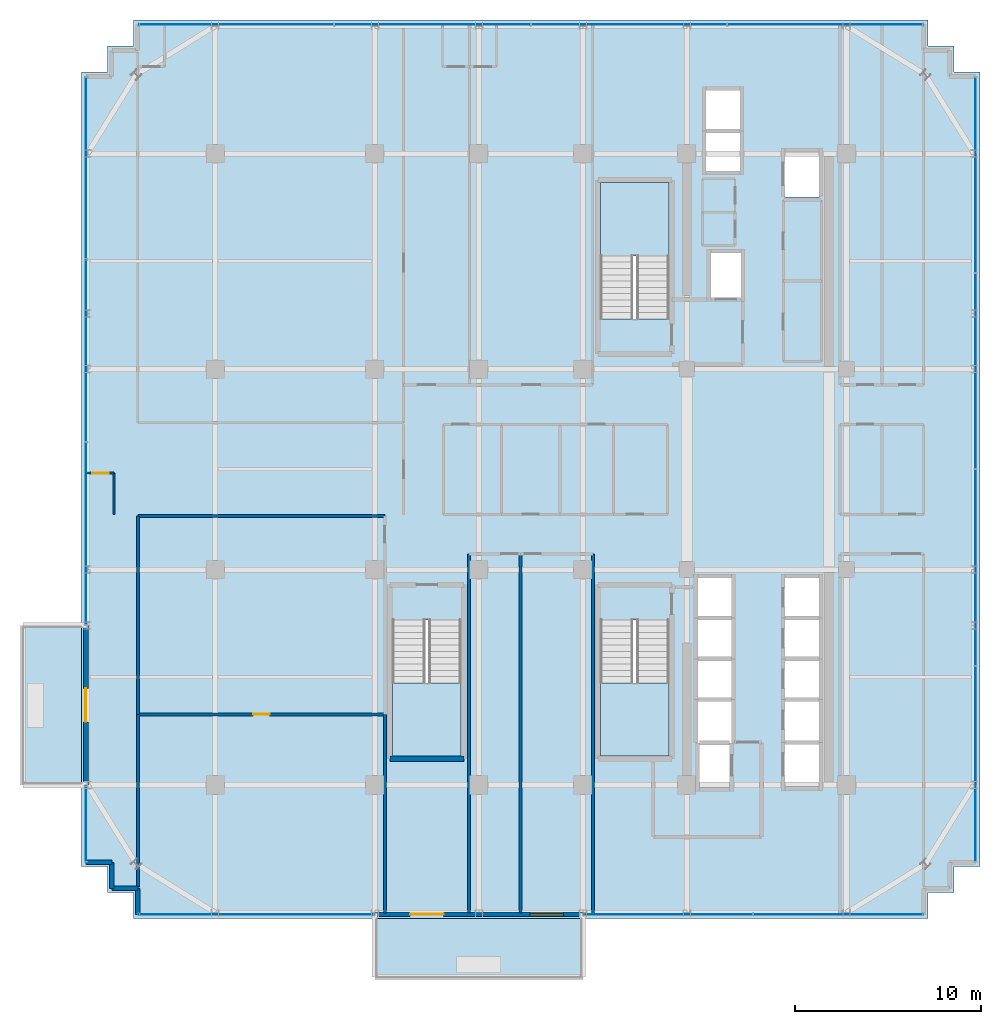
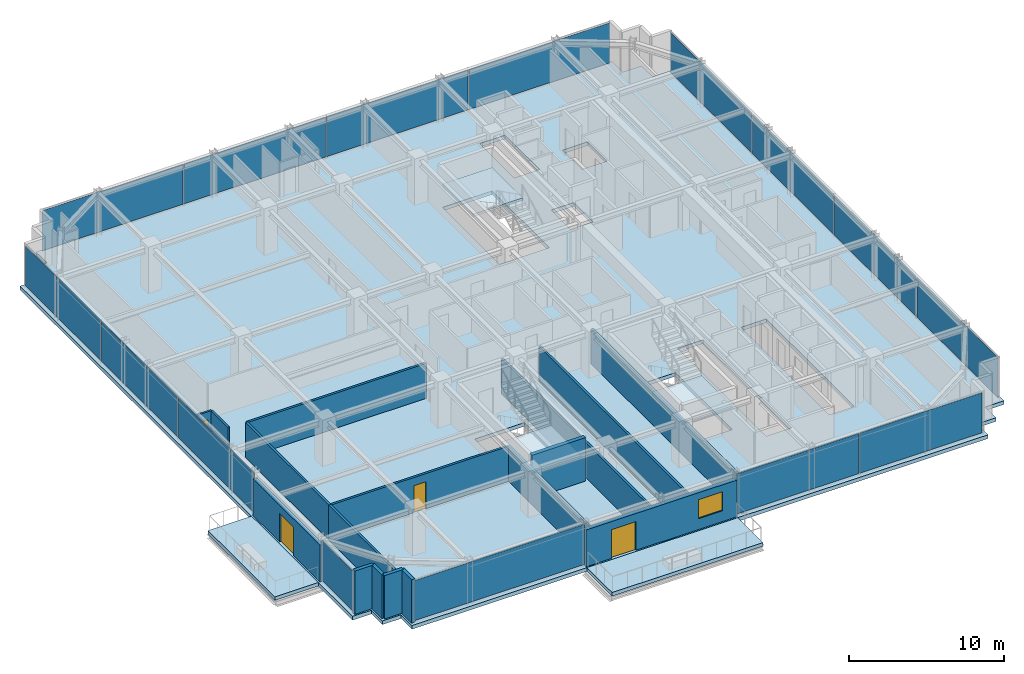
# One storey, part 25 of 32: 17 walls, 15 plates, 6 slabs, 4 doors, 1 window, 5 openings, 9 elements without a shape of their own.
"""IFC4 building model written with IfcOpenShell, lengths in metres."""

import ifcopenshell
import ifcopenshell.guid

model = None  # the IFC model being written
_history = None  # IfcOwnerHistory: only IFC2X3 demands one
_inside = {}  # id of a spatial element -> (the spatial element, [elements in it])
_under = {}  # id of a project, library or spatial element -> (it, [spatial elements below it])
_declared = {}  # id of a project -> (the project, [libraries it declares])
_typed = {}  # id of a type object -> (the type object, [elements of that type])
_made_of = {}  # id of a material, layer set ... -> (it, [elements and type objects made of it])


def new_model(schema):
    """Start an empty IFC model of exactly this schema.

    Asked for "IFC4X3", IfcOpenShell would pick the latest addendum, in which some entities
    have other attributes; the version numbers below select the first issue.
    IFC2X3 requires an IfcOwnerHistory on every rooted entity: one is made here for all.
    """
    global model, _history
    if schema == "IFC4X3":
        model = ifcopenshell.file(schema_version=(4, 3, 0, 0))
    else:
        model = ifcopenshell.file(schema=schema)
    _inside.clear()
    _under.clear()
    _declared.clear()
    _typed.clear()
    _made_of.clear()
    _history = None
    if model.schema == "IFC2X3":
        org = make("IfcOrganization", Name="unknown")
        user = make(
            "IfcPersonAndOrganization",
            ThePerson=make("IfcPerson", FamilyName="unknown"),
            TheOrganization=org,
        )
        app = make(
            "IfcApplication",
            ApplicationDeveloper=org,
            Version="unknown",
            ApplicationFullName="unknown",
            ApplicationIdentifier="unknown",
        )
        _history = make(
            "IfcOwnerHistory",
            OwningUser=user,
            OwningApplication=app,
            ChangeAction="ADDED",
            CreationDate=0,
        )
    return model


def make(cls, **values):
    """One entity of the class cls with the attributes given. An attribute that is None is left unset."""
    return model.create_entity(
        cls, **{name: value for name, value in values.items() if value is not None}
    )


def rooted(cls, **values):
    """An entity with a GlobalId (a new one), such as an element, a storey or a relation."""
    return make(cls, GlobalId=ifcopenshell.guid.new(), OwnerHistory=_history, **values)


def si_unit(unit_type, name, prefix=None):
    """IfcSIUnit, for example si_unit("LENGTHUNIT", "METRE", prefix="MILLI")."""
    return make("IfcSIUnit", UnitType=unit_type, Prefix=prefix, Name=name)


def assignment(units):
    """IfcUnitAssignment: the units of a project."""
    return None if units is None else make("IfcUnitAssignment", Units=units)


def point(xyz):
    """IfcCartesianPoint."""
    return None if xyz is None else make("IfcCartesianPoint", Coordinates=xyz)


def direction(xyz):
    """IfcDirection."""
    return None if xyz is None else make("IfcDirection", DirectionRatios=xyz)


def frame(location, z_axis=None, x_axis=None):
    """IfcAxis2Placement3D, a coordinate frame: its origin and axes. An axis left out is left unset."""
    return make(
        "IfcAxis2Placement3D",
        Location=point(location),
        Axis=direction(z_axis),
        RefDirection=direction(x_axis),
    )


def frame_2d(location, x_axis=None):
    """IfcAxis2Placement2D, a coordinate frame in the plane: its origin and x axis."""
    return make(
        "IfcAxis2Placement2D", Location=point(location), RefDirection=direction(x_axis)
    )


def origin():
    """The frame at (0, 0, 0) with its axes left unset."""
    return frame((0.0, 0.0, 0.0))


def origin_2d():
    """The frame at (0, 0) in the plane with its x axis left unset."""
    return frame_2d((0.0, 0.0))


def place(relative_to, where):
    """IfcLocalPlacement: puts the frame where relative to a parent placement (None: the world)."""
    return make(
        "IfcLocalPlacement", PlacementRelTo=relative_to, RelativePlacement=where
    )


def context(
    kind, dimensions, precision=None, world=None, true_north=None, identifier=None
):
    """IfcGeometricRepresentationContext, for example the 3D "Model" context."""
    return make(
        "IfcGeometricRepresentationContext",
        ContextIdentifier=identifier,
        ContextType=kind,
        CoordinateSpaceDimension=dimensions,
        Precision=precision,
        WorldCoordinateSystem=world,
        TrueNorth=true_north,
    )


def subcontext(parent, identifier, kind, view, scale=None):
    """IfcGeometricRepresentationSubContext, for example "Body" below "Model"."""
    return make(
        "IfcGeometricRepresentationSubContext",
        ContextIdentifier=identifier,
        ContextType=kind,
        ParentContext=parent,
        TargetScale=scale,
        TargetView=view,
    )


def project(units=None, contexts=None):
    """IfcProject with its units and contexts."""
    return rooted(
        "IfcProject",
        Name="project",
        RepresentationContexts=contexts,
        UnitsInContext=assignment(units),
    )


def spatial(cls, under=None, at=None, **own):
    """A site, building, storey or space (cls), placed at a placement, below another one or the project."""
    s = rooted(cls, ObjectPlacement=at, **own)
    if under is not None:
        _under.setdefault(under.id(), (under, []))[1].append(s)
    return s


def polyline(points):
    """IfcPolyline through the points."""
    return make("IfcPolyline", Points=[point(p) for p in points])


def profile(cls, at=None, kind="AREA", **sizes):
    """A parametric profile (cls). Its sizes go by their IFC names, for example OverallWidth=200.0."""
    return make(cls, ProfileType=kind, Position=at, **sizes)


def rectangle(**sizes):
    """IfcRectangleProfileDef."""
    return profile("IfcRectangleProfileDef", **sizes)


def outline(outer, holes=None, kind="AREA"):
    """IfcArbitraryClosedProfileDef: a profile drawn as a closed curve; with holes, ...WithVoids."""
    if holes is None:
        return make("IfcArbitraryClosedProfileDef", ProfileType=kind, OuterCurve=outer)
    return make(
        "IfcArbitraryProfileDefWithVoids",
        ProfileType=kind,
        OuterCurve=outer,
        InnerCurves=holes,
    )


def extrude(swept, where, along, depth):
    """IfcExtrudedAreaSolid: the profile swept, set in the frame where, extruded along a direction by depth."""
    return make(
        "IfcExtrudedAreaSolid",
        SweptArea=swept,
        Position=where,
        ExtrudedDirection=direction(along),
        Depth=depth,
    )


def shape(context_of_items, identifier, shape_type, items):
    """IfcShapeRepresentation: the items that make up one representation, for example the "Body"."""
    return make(
        "IfcShapeRepresentation",
        ContextOfItems=context_of_items,
        RepresentationIdentifier=identifier,
        RepresentationType=shape_type,
        Items=items,
    )


def source(mapping_origin, context_of_items, identifier, shape_type, items):
    """IfcRepresentationMap: a shape defined once, which mapped items show again and again."""
    return make(
        "IfcRepresentationMap",
        MappingOrigin=mapping_origin,
        MappedRepresentation=shape(context_of_items, identifier, shape_type, items),
    )


def transform(
    local_origin,
    x_axis=None,
    y_axis=None,
    z_axis=None,
    scale=None,
    scale2=None,
    scale3=None,
    uniform=True,
):
    """IfcCartesianTransformationOperator3D, or its non-uniform kind. x_axis, y_axis, z_axis: its Axis1, 2, 3."""
    if uniform:
        return make(
            "IfcCartesianTransformationOperator3D",
            Axis1=direction(x_axis),
            Axis2=direction(y_axis),
            LocalOrigin=point(local_origin),
            Scale=scale,
            Axis3=direction(z_axis),
        )
    return make(
        "IfcCartesianTransformationOperator3DnonUniform",
        Axis1=direction(x_axis),
        Axis2=direction(y_axis),
        LocalOrigin=point(local_origin),
        Scale=scale,
        Axis3=direction(z_axis),
        Scale2=scale2,
        Scale3=scale3,
    )


def mapped(mapping_source, mapping_target):
    """IfcMappedItem: shows the shape of a source again, moved by a transform."""
    return make(
        "IfcMappedItem", MappingSource=mapping_source, MappingTarget=mapping_target
    )


def material(Name=None, Category=None):
    """IfcMaterial."""
    return make("IfcMaterial", Name=Name, Category=Category)


def layer(
    of_material, thickness, ventilated=None, Name=None, Category=None, Priority=None
):
    """IfcMaterialLayer: one layer of a wall or slab, of a material (None: an air gap)."""
    return make(
        "IfcMaterialLayer",
        Material=of_material,
        LayerThickness=thickness,
        IsVentilated=ventilated,
        Name=Name,
        Category=Category,
        Priority=Priority,
    )


def layer_set(layers, Name=None):
    """IfcMaterialLayerSet."""
    return make("IfcMaterialLayerSet", MaterialLayers=layers, LayerSetName=Name)


def made_of(thing, what):
    """Note that an element or type object is made of a material, layer set ...; save() writes the relation."""
    if what is not None:
        _made_of.setdefault(what.id(), (what, []))[1].append(thing)
    return thing


def type_object(cls, material=None, **own):
    """A type object (cls), such as IfcWallType, which elements share."""
    return made_of(rooted(cls, **own), material)


def element(
    cls,
    number,
    at=None,
    inside=None,
    cuts=None,
    type_object=None,
    material=None,
    context=None,
    identifier="Body",
    shape_type=None,
    held_by="IfcProductDefinitionShape",
    body=None,
    shapes=None,
    **own,
):
    """One element of the class cls, such as IfcWall. Its Tag is "e" and its number.

    at: its placement. inside: the storey or other place that contains it. cuts: it is an
    opening in that element (IfcRelVoidsElement). A single representation is given by context,
    identifier, shape_type and body (its items); several are given by shapes. held_by: the class
    of the entity that holds the representations. save() writes the other relations.
    """
    e = rooted(cls, Tag="e%d" % number, ObjectPlacement=at, **own)
    if body is not None:
        shapes = [shape(context, identifier, shape_type, body)]
    if shapes is not None:
        e.Representation = make(held_by, Representations=shapes)
    if inside is not None:
        _inside.setdefault(inside.id(), (inside, []))[1].append(e)
    if cuts is not None:
        rooted(
            "IfcRelVoidsElement", RelatingBuildingElement=cuts, RelatedOpeningElement=e
        )
    if type_object is not None:
        _typed.setdefault(type_object.id(), (type_object, []))[1].append(e)
    return made_of(e, material)


def fill(opening, filler):
    """IfcRelFillsElement: the door or window that sits in an opening."""
    return rooted(
        "IfcRelFillsElement",
        RelatingOpeningElement=opening,
        RelatedBuildingElement=filler,
    )


def aggregate(whole, parts):
    """IfcRelAggregates: a whole, such as a stair, and the parts it consists of."""
    return rooted("IfcRelAggregates", RelatingObject=whole, RelatedObjects=parts)


def save(model, path):
    """Write the relations noted so far, then the file.

    IfcRelAggregates (storeys below a building ...), IfcRelContainedInSpatialStructure (elements
    in a storey), IfcRelDefinesByType, IfcRelAssociatesMaterial and IfcRelDeclares: one each for
    every whole, place, type object, material and project.
    """
    for whole, parts in _under.values():
        aggregate(whole, parts)
    for where, things in _inside.values():
        rooted(
            "IfcRelContainedInSpatialStructure",
            RelatedElements=things,
            RelatingStructure=where,
        )
    for kind, things in _typed.values():
        rooted("IfcRelDefinesByType", RelatedObjects=things, RelatingType=kind)
    for what, things in _made_of.values():
        rooted("IfcRelAssociatesMaterial", RelatedObjects=things, RelatingMaterial=what)
    for by, libraries in _declared.values():
        rooted("IfcRelDeclares", RelatingContext=by, RelatedDefinitions=libraries)
    model.write(path)


model = new_model("IFC4")

# Units and contexts
model_context = context("Model", 3, precision=1e-05, world=origin(), true_north=direction((0.0, 1.0)))
body_context = subcontext(model_context, "Body", "Model", "MODEL_VIEW")
ifc_project = project(units=[si_unit("LENGTHUNIT", "METRE"), si_unit("AREAUNIT", "SQUARE_METRE"), si_unit("VOLUMEUNIT", "CUBIC_METRE"), si_unit("PLANEANGLEUNIT", "RADIAN"), si_unit("MASSUNIT", "GRAM", prefix="KILO")], contexts=[model_context])

# Site, building, storey
site_placement = place(None, origin())
site = spatial("IfcSite", under=ifc_project, at=site_placement, CompositionType="ELEMENT")
building_placement = place(site_placement, origin())
building = spatial("IfcBuilding", under=site, at=building_placement, Name="Nahalor Promenade Grand Hotel", CompositionType="ELEMENT")
storey_placement = place(building_placement, frame((0.0, 0.0, 230.800048828125)))
storey = spatial("IfcBuildingStorey", under=building, at=storey_placement, Name="L59", CompositionType="ELEMENT", Elevation=230.800048828125)

# Stair, slab
ifc_material_1 = material(Name="Concrete B-50 (C40/50)", Category="concrete")
stair_type_1 = type_object("IfcStairType", Name="Stair-ST1", PredefinedType="HALF_TURN_STAIR", material=ifc_material_1)
stair_1_placement = place(storey_placement, origin())
stair_1 = element("IfcStair", 1, at=stair_1_placement, inside=storey, type_object=stair_type_1, Name="L59 ST1", PredefinedType="HALF_TURN_STAIR")
ifc_layer_1 = layer(ifc_material_1, 0.199951171875)
ifc_layer_set_1 = layer_set([ifc_layer_1], Name="Concrete B-50 (C40/50)")
slab_type_1 = type_object("IfcSlabType", Name="Landing-ST1", PredefinedType="LANDING", material=ifc_layer_set_1)
slab_1_placement = place(storey_placement, frame((0.0, 0.0, 1.64990234375)))
slab_1 = element("IfcSlab", 2, at=slab_1_placement, type_object=slab_type_1, Name="ST1 landing 1", PredefinedType="LANDING", context=body_context, shape_type="SweptSolid", body=[
    extrude(outline(polyline([(7.449951171875, 11.5), (7.449951171875, 15.449951171875), (3.75, 15.449951171875), (3.75, 11.5), (7.449951171875, 11.5)])), origin(), (0.0, 0.0, 1.0), 0.199951171875),
])
aggregate(stair_1, [slab_1])

stair_type_2 = type_object("IfcStairType", Name="Stair-ST2", PredefinedType="HALF_TURN_STAIR", material=ifc_material_1)
stair_2_placement = place(storey_placement, origin())
stair_2 = element("IfcStair", 3, at=stair_2_placement, inside=storey, type_object=stair_type_2, Name="L59 ST2", PredefinedType="HALF_TURN_STAIR")
ifc_layer_2 = layer(ifc_material_1, 0.2099609375)
ifc_layer_set_2 = layer_set([ifc_layer_2], Name="Concrete B-50 (C40/50)")
slab_type_2 = type_object("IfcSlabType", Name="Landing-ST2", PredefinedType="LANDING", material=ifc_layer_set_2)
slab_2_placement = place(storey_placement, frame((0.0, 0.0, 1.639892578125)))
slab_2 = element("IfcSlab", 4, at=slab_2_placement, type_object=slab_type_2, Name="ST2 landing 1", PredefinedType="LANDING", context=body_context, shape_type="SweptSolid", body=[
    extrude(outline(polyline([(3.75, -11.5), (3.75, -15.449951171875), (7.449951171875, -15.449951171875), (7.449951171875, -11.5), (3.75, -11.5)])), origin(), (0.0, 0.0, 1.0), 0.2099609375),
])
aggregate(stair_2, [slab_2])

stair_type_3 = type_object("IfcStairType", Name="Stair-ST3", PredefinedType="HALF_TURN_STAIR", material=ifc_material_1)
stair_3_placement = place(storey_placement, origin())
stair_3 = element("IfcStair", 5, at=stair_3_placement, inside=storey, type_object=stair_type_3, Name="L59 ST3", PredefinedType="HALF_TURN_STAIR")
ifc_layer_3 = layer(ifc_material_1, 0.219970703125)
ifc_layer_set_3 = layer_set([ifc_layer_3], Name="Concrete B-50 (C40/50)")
slab_type_3 = type_object("IfcSlabType", Name="Landing-ST3", PredefinedType="LANDING", material=ifc_layer_set_3)
slab_3_placement = place(storey_placement, frame((0.0, 0.0, 1.6298828125)))
slab_3 = element("IfcSlab", 6, at=slab_3_placement, type_object=slab_type_3, Name="ST3 landing 1", PredefinedType="LANDING", context=body_context, shape_type="SweptSolid", body=[
    extrude(outline(polyline([(-7.449951171875, -11.5), (-7.449951171875, -15.449951171875), (-3.75, -15.449951171875), (-3.75, -11.5), (-7.449951171875, -11.5)])), origin(), (0.0, 0.0, 1.0), 0.219970703125),
])
aggregate(stair_3, [slab_3])

# Slabs
ifc_layer_4 = layer(ifc_material_1, 0.280029296875)
ifc_layer_set_4 = layer_set([ifc_layer_4], Name="Concrete B-50 (C40/50)")
slab_type_4 = type_object("IfcSlabType", Name="Slab-Balcony-280", PredefinedType="FLOOR", material=ifc_layer_set_4)
slab_4_placement = place(storey_placement, frame((0.0, 0.0, -0.280029296875)))
element("IfcSlab", 7, at=slab_4_placement, inside=storey, type_object=slab_type_4, Name="L59 Cantilevered Planted Balcony 1", PredefinedType="FLOOR", context=body_context, shape_type="SweptSolid", body=[
    extrude(outline(polyline([(-8.39990234375, -27.429931640625), (2.800048828125, -27.429931640625), (2.800048828125, -24.199951171875), (-8.39990234375, -24.199951171875), (-8.39990234375, -27.429931640625)])), origin(), (0.0, 0.0, 1.0), 0.280029296875),
])
slab_5_placement = place(storey_placement, frame((0.0, 0.0, -0.280029296875)))
element("IfcSlab", 8, at=slab_5_placement, inside=storey, type_object=slab_type_4, Name="L59 Cantilevered Planted Balcony 2", PredefinedType="FLOOR", context=body_context, shape_type="SweptSolid", body=[
    extrude(outline(polyline([(-27.43994140625, -17.0), (-24.199951171875, -17.0), (-24.199951171875, -8.39990234375), (-27.43994140625, -8.39990234375), (-27.43994140625, -17.0)])), origin(), (0.0, 0.0, 1.0), 0.280029296875),
])
ifc_layer_5 = layer(ifc_material_1, 0.2900390625)
ifc_layer_set_5 = layer_set([ifc_layer_5], Name="Concrete B-50 (C40/50)")
slab_type_5 = type_object("IfcSlabType", Name="Slab-TowerZ4-290", PredefinedType="FLOOR", material=ifc_layer_set_5)
slab_6_placement = place(storey_placement, frame((0.0, 0.0, -0.2900390625)))
element("IfcSlab", 9, at=slab_6_placement, inside=storey, type_object=slab_type_5, Name="L59 Suspended Structural Floor Slab", PredefinedType="FLOOR", context=body_context, shape_type="SweptSolid", body=[
    extrude(outline(polyline([(-21.39990234375, -24.199951171875), (21.39990234375, -24.199951171875), (21.39990234375, -22.800048828125), (22.800048828125, -22.800048828125), (22.800048828125, -21.39990234375), (24.199951171875, -21.39990234375), (24.199951171875, 21.39990234375), (22.800048828125, 21.39990234375), (22.800048828125, 22.800048828125), (21.39990234375, 22.800048828125), (21.39990234375, 24.199951171875), (-21.39990234375, 24.199951171875), (-21.39990234375, 22.800048828125), (-22.800048828125, 22.800048828125), (-22.800048828125, 21.39990234375), (-24.199951171875, 21.39990234375), (-24.199951171875, -21.39990234375), (-22.800048828125, -21.39990234375), (-22.800048828125, -22.800048828125), (-21.39990234375, -22.800048828125), (-21.39990234375, -24.199951171875)]), holes=[polyline([(3.75, 8.10009765625), (7.449951171875, 8.10009765625), (7.449951171875, 15.449951171875), (3.75, 15.449951171875), (3.75, 8.10009765625)]), polyline([(3.75, -15.449951171875), (7.449951171875, -15.449951171875), (7.449951171875, -8.10009765625), (3.75, -8.10009765625), (3.75, -15.449951171875)]), polyline([(-7.449951171875, -15.449951171875), (-3.75, -15.449951171875), (-3.75, -8.10009765625), (-7.449951171875, -8.10009765625), (-7.449951171875, -15.449951171875)]), polyline([(13.659912109375, -17.139892578125), (15.5400390625, -17.139892578125), (15.5400390625, -5.81005859375), (13.659912109375, -5.81005859375), (13.659912109375, -17.139892578125)]), polyline([(8.9599609375, -17.18994140625), (10.840087890625, -17.18994140625), (10.840087890625, -5.81005859375), (8.9599609375, -5.81005859375), (8.9599609375, -17.18994140625)]), polyline([(9.409912109375, 16.010009765625), (11.2900390625, 16.010009765625), (11.2900390625, 20.43994140625), (9.409912109375, 20.43994140625), (9.409912109375, 16.010009765625)]), polyline([(9.659912109375, 9.2099609375), (11.340087890625, 9.2099609375), (11.340087890625, 11.68994140625), (9.659912109375, 11.68994140625), (9.659912109375, 9.2099609375)]), polyline([(13.659912109375, 14.659912109375), (15.5400390625, 14.659912109375), (15.5400390625, 17.139892578125), (13.659912109375, 17.139892578125), (13.659912109375, 14.659912109375)])]), origin(), (0.0, 0.0, 1.0), 0.2900390625),
])

# Curtain wall, plates
ifc_material_2 = material(Name="Anodised Bronze Aluminium EN AW-6063 T6", Category="aluminium")
curtain_wall_type = type_object("IfcCurtainWallType", Name="CW2 Typical Hotel Flush Bronze Unitised Curtain Wall", PredefinedType="USERDEFINED", material=ifc_material_2)
curtain_wall_1_placement = place(storey_placement, origin())
curtain_wall_1 = element("IfcCurtainWall", 10, at=curtain_wall_1_placement, inside=storey, type_object=curtain_wall_type, Name="L59 Curtain Wall CW-L59-N-1", ObjectType="UNITISED_CURTAIN_WALL", PredefinedType="USERDEFINED")
ifc_material_3 = material(Name="Low-E Laminated Solar Glass", Category="glass")
ifc_layer_6 = layer(ifc_material_3, 0.028076171875)
ifc_layer_set_6 = layer_set([ifc_layer_6], Name="Low-E Laminated Solar Glass")
plate_type = type_object("IfcPlateType", Name="CWP2 Bronze Low-E Vision IGU 28mm", PredefinedType="CURTAIN_PANEL", material=ifc_layer_set_6)
shared_shape_1 = source(origin(), body_context, "Body", "SweptSolid", [
    extrude(rectangle(XDim=10.482421875, YDim=0.028076171875, at=origin_2d()), origin(), (0.0, 0.0, 1.0), 3.14990234375),
])
plate_1_placement = place(storey_placement, frame((-15.853759765625, 23.9599609375, 0.1298828125), z_axis=(0.0, 0.0, 1.0), x_axis=(1.0, 0.0, 0.0)))
plate_1 = element("IfcPlate", 11, at=plate_1_placement, type_object=plate_type, Name="CW-L59-N-1 Glazing Panel 0-0", PredefinedType="CURTAIN_PANEL", context=body_context, shape_type="MappedRepresentation", body=[
    mapped(shared_shape_1, transform((0.0, 0.0, 0.0), scale=1.0)),
])
plate_2_placement = place(storey_placement, frame((15.853759765625, 23.9599609375, 0.1298828125), z_axis=(0.0, 0.0, 1.0), x_axis=(1.0, 0.0, 0.0)))
plate_2 = element("IfcPlate", 12, at=plate_2_placement, type_object=plate_type, Name="CW-L59-N-1 Glazing Panel 3-0", PredefinedType="CURTAIN_PANEL", context=body_context, shape_type="MappedRepresentation", body=[
    mapped(shared_shape_1, transform((0.0, 0.0, 0.0), scale=1.0)),
])

curtain_wall_2_placement = place(storey_placement, origin())
curtain_wall_2 = element("IfcCurtainWall", 13, at=curtain_wall_2_placement, inside=storey, type_object=curtain_wall_type, Name="L59 Curtain Wall CW-L59-E-1", ObjectType="UNITISED_CURTAIN_WALL", PredefinedType="USERDEFINED")
plate_3_placement = place(storey_placement, frame((23.9599609375, -15.853759765625, 0.1298828125), z_axis=(0.0, 0.0, 1.0), x_axis=(0.0, 1.0, 0.0)))
plate_3 = element("IfcPlate", 14, at=plate_3_placement, type_object=plate_type, Name="CW-L59-E-1 Glazing Panel 0-0", PredefinedType="CURTAIN_PANEL", context=body_context, shape_type="MappedRepresentation", body=[
    mapped(shared_shape_1, transform((0.0, 0.0, 0.0), scale=1.0)),
])
plate_4_placement = place(storey_placement, frame((23.9599609375, 15.853759765625, 0.1298828125), z_axis=(0.0, 0.0, 1.0), x_axis=(0.0, 1.0, 0.0)))
plate_4 = element("IfcPlate", 15, at=plate_4_placement, type_object=plate_type, Name="CW-L59-E-1 Glazing Panel 3-0", PredefinedType="CURTAIN_PANEL", context=body_context, shape_type="MappedRepresentation", body=[
    mapped(shared_shape_1, transform((0.0, 0.0, 0.0), scale=1.0)),
])

# Plate
shared_shape_2 = source(origin(), body_context, "Body", "SweptSolid", [
    extrude(rectangle(XDim=10.514892578125, YDim=0.028076171875, at=origin_2d()), origin(), (0.0, 0.0, 1.0), 3.14990234375),
])
plate_5_placement = place(storey_placement, frame((-5.2900390625, 23.9599609375, 0.1298828125), z_axis=(0.0, 0.0, 1.0), x_axis=(1.0, 0.0, 0.0)))
plate_5 = element("IfcPlate", 16, at=plate_5_placement, type_object=plate_type, Name="CW-L59-N-1 Glazing Panel 1-0", PredefinedType="CURTAIN_PANEL", context=body_context, shape_type="MappedRepresentation", body=[
    mapped(shared_shape_2, transform((0.0, 0.0, 0.0), scale=1.0)),
])

plate_6_placement = place(storey_placement, frame((5.2900390625, 23.9599609375, 0.1298828125), z_axis=(0.0, 0.0, 1.0), x_axis=(1.0, 0.0, 0.0)))
plate_6 = element("IfcPlate", 17, at=plate_6_placement, type_object=plate_type, Name="CW-L59-N-1 Glazing Panel 2-0", PredefinedType="CURTAIN_PANEL", context=body_context, shape_type="MappedRepresentation", body=[
    mapped(shared_shape_2, transform((0.0, 0.0, 0.0), scale=1.0)),
])

aggregate(curtain_wall_1, [plate_1, plate_5, plate_6, plate_2])

plate_7_placement = place(storey_placement, frame((23.9599609375, -5.2900390625, 0.1298828125), z_axis=(0.0, 0.0, 1.0), x_axis=(0.0, 1.0, 0.0)))
plate_7 = element("IfcPlate", 18, at=plate_7_placement, type_object=plate_type, Name="CW-L59-E-1 Glazing Panel 1-0", PredefinedType="CURTAIN_PANEL", context=body_context, shape_type="MappedRepresentation", body=[
    mapped(shared_shape_2, transform((0.0, 0.0, 0.0), scale=1.0)),
])

plate_8_placement = place(storey_placement, frame((23.9599609375, 5.2900390625, 0.1298828125), z_axis=(0.0, 0.0, 1.0), x_axis=(0.0, 1.0, 0.0)))
plate_8 = element("IfcPlate", 19, at=plate_8_placement, type_object=plate_type, Name="CW-L59-E-1 Glazing Panel 2-0", PredefinedType="CURTAIN_PANEL", context=body_context, shape_type="MappedRepresentation", body=[
    mapped(shared_shape_2, transform((0.0, 0.0, 0.0), scale=1.0)),
])

aggregate(curtain_wall_2, [plate_3, plate_7, plate_8, plate_4])

# Curtain wall, plate
curtain_wall_3_placement = place(storey_placement, origin())
curtain_wall_3 = element("IfcCurtainWall", 20, at=curtain_wall_3_placement, inside=storey, type_object=curtain_wall_type, Name="L59 Curtain Wall CW-L59-W-1", ObjectType="UNITISED_CURTAIN_WALL", PredefinedType="USERDEFINED")
shared_shape_3 = source(origin(), body_context, "Body", "SweptSolid", [
    extrude(rectangle(XDim=4.030029296875, YDim=0.028076171875, at=origin_2d()), origin(), (0.0, 0.0, 1.0), 3.14990234375),
])
plate_9_placement = place(storey_placement, frame((-23.9599609375, -19.080078125, 0.1298828125), z_axis=(0.0, 0.0, 1.0), x_axis=(0.0, 1.0, 0.0)))
plate_9 = element("IfcPlate", 21, at=plate_9_placement, type_object=plate_type, Name="CW-L59-W-1 Glazing Panel 0-0", PredefinedType="CURTAIN_PANEL", context=body_context, shape_type="MappedRepresentation", body=[
    mapped(shared_shape_3, transform((0.0, 0.0, 0.0), scale=1.0)),
])
aggregate(curtain_wall_3, [plate_9])

# Curtain wall, plates
curtain_wall_4_placement = place(storey_placement, origin())
curtain_wall_4 = element("IfcCurtainWall", 22, at=curtain_wall_4_placement, inside=storey, type_object=curtain_wall_type, Name="L59 Curtain Wall CW-L59-W-3", ObjectType="UNITISED_CURTAIN_WALL", PredefinedType="USERDEFINED")
shared_shape_4 = source(origin(), body_context, "Body", "SweptSolid", [
    extrude(rectangle(XDim=9.755859375, YDim=0.028076171875, at=origin_2d()), origin(), (0.0, 0.0, 1.0), 3.14990234375),
])
plate_10_placement = place(storey_placement, frame((-23.9599609375, -3.45703125, 0.1298828125), z_axis=(0.0, 0.0, 1.0), x_axis=(0.0, 1.0, 0.0)))
plate_10 = element("IfcPlate", 23, at=plate_10_placement, type_object=plate_type, Name="CW-L59-W-3 Glazing Panel 0-0", PredefinedType="CURTAIN_PANEL", context=body_context, shape_type="MappedRepresentation", body=[
    mapped(shared_shape_4, transform((0.0, 0.0, 0.0), scale=1.0)),
])
plate_11_placement = place(storey_placement, frame((-23.9599609375, 16.217041015625, 0.1298828125), z_axis=(0.0, 0.0, 1.0), x_axis=(0.0, 1.0, 0.0)))
plate_11 = element("IfcPlate", 24, at=plate_11_placement, type_object=plate_type, Name="CW-L59-W-3 Glazing Panel 2-0", PredefinedType="CURTAIN_PANEL", context=body_context, shape_type="MappedRepresentation", body=[
    mapped(shared_shape_4, transform((0.0, 0.0, 0.0), scale=1.0)),
])
shared_shape_5 = source(origin(), body_context, "Body", "SweptSolid", [
    extrude(rectangle(XDim=9.788330078125, YDim=0.028076171875, at=origin_2d()), origin(), (0.0, 0.0, 1.0), 3.14990234375),
])
plate_12_placement = place(storey_placement, frame((-23.9599609375, 6.3798828125, 0.1298828125), z_axis=(0.0, 0.0, 1.0), x_axis=(0.0, 1.0, 0.0)))
plate_12 = element("IfcPlate", 25, at=plate_12_placement, type_object=plate_type, Name="CW-L59-W-3 Glazing Panel 1-0", PredefinedType="CURTAIN_PANEL", context=body_context, shape_type="MappedRepresentation", body=[
    mapped(shared_shape_5, transform((0.0, 0.0, 0.0), scale=1.0)),
])
aggregate(curtain_wall_4, [plate_10, plate_12, plate_11])

# Curtain wall, plate
curtain_wall_5_placement = place(storey_placement, origin())
curtain_wall_5 = element("IfcCurtainWall", 26, at=curtain_wall_5_placement, inside=storey, type_object=curtain_wall_type, Name="L59 Curtain Wall CW-L59-S-1", ObjectType="UNITISED_CURTAIN_WALL", PredefinedType="USERDEFINED")
shared_shape_6 = source(origin(), body_context, "Body", "SweptSolid", [
    extrude(rectangle(XDim=12.6298828125, YDim=0.028076171875, at=origin_2d()), origin(), (0.0, 0.0, 1.0), 3.14990234375),
])
plate_13_placement = place(storey_placement, frame((-14.780029296875, -23.9599609375, 0.1298828125), z_axis=(0.0, 0.0, 1.0), x_axis=(1.0, 0.0, 0.0)))
plate_13 = element("IfcPlate", 27, at=plate_13_placement, type_object=plate_type, Name="CW-L59-S-1 Glazing Panel 0-0", PredefinedType="CURTAIN_PANEL", context=body_context, shape_type="MappedRepresentation", body=[
    mapped(shared_shape_6, transform((0.0, 0.0, 0.0), scale=1.0)),
])
aggregate(curtain_wall_5, [plate_13])

# Curtain wall, plates
curtain_wall_6_placement = place(storey_placement, origin())
curtain_wall_6 = element("IfcCurtainWall", 28, at=curtain_wall_6_placement, inside=storey, type_object=curtain_wall_type, Name="L59 Curtain Wall CW-L59-S-3", ObjectType="UNITISED_CURTAIN_WALL", PredefinedType="USERDEFINED")
shared_shape_7 = source(origin(), body_context, "Body", "SweptSolid", [
    extrude(rectangle(XDim=9.08251953125, YDim=0.028076171875, at=origin_2d()), origin(), (0.0, 0.0, 1.0), 3.14990234375),
])
plate_14_placement = place(storey_placement, frame((7.40625, -23.9599609375, 0.1298828125), z_axis=(0.0, 0.0, 1.0), x_axis=(1.0, 0.0, 0.0)))
plate_14 = element("IfcPlate", 29, at=plate_14_placement, type_object=plate_type, Name="CW-L59-S-3 Glazing Panel 0-0", PredefinedType="CURTAIN_PANEL", context=body_context, shape_type="MappedRepresentation", body=[
    mapped(shared_shape_7, transform((0.0, 0.0, 0.0), scale=1.0)),
])
plate_15_placement = place(storey_placement, frame((16.5537109375, -23.9599609375, 0.1298828125), z_axis=(0.0, 0.0, 1.0), x_axis=(1.0, 0.0, 0.0)))
plate_15 = element("IfcPlate", 30, at=plate_15_placement, type_object=plate_type, Name="CW-L59-S-3 Glazing Panel 1-0", PredefinedType="CURTAIN_PANEL", context=body_context, shape_type="MappedRepresentation", body=[
    mapped(shared_shape_7, transform((0.0, 0.0, 0.0), scale=1.0)),
])
aggregate(curtain_wall_6, [plate_14, plate_15])

# Walls
ifc_layer_7 = layer(ifc_material_1, 0.300048828125)
ifc_layer_set_7 = layer_set([ifc_layer_7], Name="Concrete B-50 (C40/50)")
wall_type_1 = type_object("IfcWallType", Name="Wall-ShaftShear-300", PredefinedType="SHEAR", material=ifc_layer_set_7)
shared_shape_8 = source(origin(), body_context, "Body", "SweptSolid", [
    extrude(rectangle(XDim=3.97998046875, YDim=0.300048828125, at=frame_2d((1.989990234375, 0.0))), origin(), (0.0, 0.0, 1.0), 3.409912109375),
])
wall_1_placement = place(storey_placement, frame((-7.590087890625, -15.590087890625, 0.0), z_axis=(0.0, 0.0, 1.0), x_axis=(1.0, 0.0, 0.0)))
element("IfcWall", 31, at=wall_1_placement, inside=storey, type_object=wall_type_1, Name="L59 Exit Stair ST3 Shaft Wall S", PredefinedType="SHEAR", context=body_context, shape_type="MappedRepresentation", body=[
    mapped(shared_shape_8, transform((0.0, 0.0, 0.0), scale=1.0)),
])
ifc_material_4 = material(Name="Concrete B-40 (C32/40)", Category="concrete")
ifc_layer_8 = layer(ifc_material_4, 0.25)
ifc_layer_set_8 = layer_set([ifc_layer_8], Name="Concrete B-40 (C32/40)")
wall_type_2 = type_object("IfcWallType", Name="Wall-BronzePier-250", PredefinedType="STANDARD", material=ifc_layer_set_8)
shared_shape_9 = source(origin(), body_context, "Body", "SweptSolid", [
    extrude(rectangle(XDim=1.39990234375, YDim=0.25, at=frame_2d((0.699951171875, 0.0))), origin(), (0.0, 0.0, 1.0), 3.409912109375),
])
for number, where, z_axis, x_axis, name in (
    (32, (-23.9599609375, -21.159912109375, 0.0), (0.0, 0.0, 1.0), (1.0, 0.0, 0.0), "W-L59-SR-13"),
    (33, (-21.159912109375, -23.9599609375, 0.0), (0.0, 0.0, 1.0), (0.0, 1.0, 0.0), "W-L59-SR-16"),
):
    element("IfcWall", number, at=place(storey_placement, frame(where, z_axis=z_axis, x_axis=x_axis)), inside=storey, type_object=wall_type_2, Name=name, PredefinedType="STANDARD", context=body_context, shape_type="MappedRepresentation", body=[
        mapped(shared_shape_9, transform((0.0, 0.0, 0.0), scale=1.0)),
    ])
shared_shape_10 = source(origin(), body_context, "Body", "SweptSolid", [
    extrude(rectangle(XDim=1.400146484375, YDim=0.25, at=frame_2d((0.7001953125, 0.0))), origin(), (0.0, 0.0, 1.0), 3.409912109375),
])
for number, where, z_axis, x_axis, name in (
    (34, (-22.56005859375, -22.56005859375, 0.0), (0.0, 0.0, 1.0), (0.0, 1.0, 0.0), "W-L59-SR-14"),
    (35, (-22.56005859375, -22.56005859375, 0.0), (0.0, 0.0, 1.0), (1.0, 0.0, 0.0), "W-L59-SR-15"),
):
    element("IfcWall", number, at=place(storey_placement, frame(where, z_axis=z_axis, x_axis=x_axis)), inside=storey, type_object=wall_type_2, Name=name, PredefinedType="STANDARD", context=body_context, shape_type="MappedRepresentation", body=[
        mapped(shared_shape_10, transform((0.0, 0.0, 0.0), scale=1.0)),
    ])

# Wall, openings, door, window
ifc_layer_9 = layer(ifc_material_4, 0.260009765625)
ifc_layer_set_9 = layer_set([ifc_layer_9], Name="Concrete B-40 (C32/40)")
wall_type_3 = type_object("IfcWallType", Name="Wall-BalconyWall-260", PredefinedType="STANDARD", material=ifc_layer_set_9)
shared_shape_11 = source(origin(), body_context, "Body", "SweptSolid", [
    extrude(rectangle(XDim=11.199951171875, YDim=0.260009765625, at=frame_2d((5.60009765625, 0.0))), origin(), (0.0, 0.0, 1.0), 2.889892578125),
])
wall_2_placement = place(storey_placement, frame((-8.39990234375, -23.9599609375, 0.0), z_axis=(0.0, 0.0, 1.0), x_axis=(1.0, 0.0, 0.0)))
wall_2 = element("IfcWall", 36, at=wall_2_placement, inside=storey, type_object=wall_type_3, Name="W-L59-BALC-S-2", PredefinedType="STANDARD", context=body_context, shape_type="MappedRepresentation", body=[
    mapped(shared_shape_11, transform((0.0, 0.0, 0.0), scale=1.0)),
])
opening_1_placement = place(wall_2_placement, frame((1.89990234375, 0.0, 0.0)))
opening_1 = element("IfcOpeningElement", 37, at=opening_1_placement, cuts=wall_2, Name="Opening D-BC1", PredefinedType="OPENING", context=body_context, shape_type="SweptSolid", body=[
    extrude(rectangle(XDim=1.800048828125, YDim=2.25, at=frame_2d((0.89990234375, 1.125))), frame((0.0, 0.139892578125, 0.0), z_axis=(0.0, -1.0, 0.0), x_axis=(1.0, 0.0, 0.0)), (0.0, 0.0, 1.0), 0.280029296875),
])
opening_2_placement = place(wall_2_placement, frame((8.35009765625, 0.0, 0.85009765625)))
opening_2 = element("IfcOpeningElement", 38, at=opening_2_placement, cuts=wall_2, Name="Opening WN-01", PredefinedType="OPENING", context=body_context, shape_type="SweptSolid", body=[
    extrude(rectangle(XDim=1.800048828125, YDim=1.5, at=frame_2d((0.89990234375, 0.75))), frame((0.0, 0.139892578125, 0.0), z_axis=(0.0, -1.0, 0.0), x_axis=(1.0, 0.0, 0.0)), (0.0, 0.0, 1.0), 0.280029296875),
])
door_type_1 = type_object("IfcDoorType", Name="Door-BalconySlide-1800", OperationType="DOUBLE_DOOR_SLIDING", PredefinedType="DOOR", material=ifc_material_2)
shared_shape_12 = source(origin(), body_context, "Body", "SweptSolid", [
    extrude(rectangle(XDim=1.800048828125, YDim=2.25, at=frame_2d((0.89990234375, 1.125))), frame((0.0, 0.02490234375, 0.0), z_axis=(0.0, -1.0, 0.0), x_axis=(1.0, 0.0, 0.0)), (0.0, 0.0, 1.0), 0.050048828125),
])
door_1_placement = place(opening_1_placement, frame((1.800048828125, 0.0, 0.0), z_axis=(0.0, 0.0, 1.0), x_axis=(-1.0, 0.0, 0.0)))
door_1 = element("IfcDoor", 39, at=door_1_placement, inside=storey, type_object=door_type_1, Name="DR-L59-BALC-S-2", OperationType="DOUBLE_DOOR_SLIDING", OverallHeight=2.25, OverallWidth=1.800048828125, PredefinedType="DOOR", context=body_context, shape_type="MappedRepresentation", body=[
    mapped(shared_shape_12, transform((0.0, 0.0, 0.0), scale=1.0)),
])
fill(opening_1, door_1)
window_type = type_object("IfcWindowType", Name="Win-ChicagoBay-1800x1500", PartitioningType="SINGLE_PANEL", PredefinedType="WINDOW", material=ifc_material_3)
shared_shape_13 = source(origin(), body_context, "Body", "SweptSolid", [
    extrude(rectangle(XDim=1.800048828125, YDim=1.5, at=frame_2d((0.89990234375, 0.75))), frame((0.0, 0.030029296875, 0.0), z_axis=(0.0, -1.0, 0.0), x_axis=(1.0, 0.0, 0.0)), (0.0, 0.0, 1.0), 0.06005859375),
])
window_placement = place(opening_2_placement, origin())
window = element("IfcWindow", 40, at=window_placement, inside=storey, type_object=window_type, Name="WN-L59-BALC-S-2-1", OverallHeight=1.5, OverallWidth=1.800048828125, PartitioningType="SINGLE_PANEL", PredefinedType="WINDOW", context=body_context, shape_type="MappedRepresentation", body=[
    mapped(shared_shape_13, transform((0.0, 0.0, 0.0), scale=1.0)),
])
fill(opening_2, window)

# Wall, opening, door
shared_shape_14 = source(origin(), body_context, "Body", "SweptSolid", [
    extrude(rectangle(XDim=8.60009765625, YDim=0.260009765625, at=frame_2d((4.300048828125, 0.0))), origin(), (0.0, 0.0, 1.0), 2.889892578125),
])
wall_3_placement = place(storey_placement, frame((-23.9599609375, -17.0, 0.0), z_axis=(0.0, 0.0, 1.0), x_axis=(0.0, 1.0, 0.0)))
wall_3 = element("IfcWall", 41, at=wall_3_placement, inside=storey, type_object=wall_type_3, Name="W-L59-BALC-W-2", PredefinedType="STANDARD", context=body_context, shape_type="MappedRepresentation", body=[
    mapped(shared_shape_14, transform((0.0, 0.0, 0.0), scale=1.0)),
])
opening_3_placement = place(wall_3_placement, frame((3.39990234375, 0.0, 0.0)))
opening_3 = element("IfcOpeningElement", 42, at=opening_3_placement, cuts=wall_3, Name="Opening D-BC1", PredefinedType="OPENING", context=body_context, shape_type="SweptSolid", body=[
    extrude(rectangle(XDim=1.800048828125, YDim=2.25, at=frame_2d((0.89990234375, 1.125))), frame((0.0, 0.139892578125, 0.0), z_axis=(0.0, -1.0, 0.0), x_axis=(1.0, 0.0, 0.0)), (0.0, 0.0, 1.0), 0.280029296875),
])
door_2_placement = place(opening_3_placement, origin())
door_2 = element("IfcDoor", 43, at=door_2_placement, inside=storey, type_object=door_type_1, Name="DR-L59-BALC-W-2", OperationType="DOUBLE_DOOR_SLIDING", OverallHeight=2.25, OverallWidth=1.800048828125, PredefinedType="DOOR", context=body_context, shape_type="MappedRepresentation", body=[
    mapped(shared_shape_12, transform((0.0, 0.0, 0.0), scale=1.0)),
])
fill(opening_3, door_2)

# Walls
ifc_material_5 = material(Name="Acoustic Mineral Gypsum", Category="gypsum")
ifc_layer_10 = layer(ifc_material_5, 0.159912109375)
ifc_layer_set_10 = layer_set([ifc_layer_10], Name="Acoustic Mineral Gypsum")
wall_type_4 = type_object("IfcWallType", Name="Wall-PartCorridor-160", PredefinedType="PARTITIONING", material=ifc_layer_set_10)
shared_shape_15 = source(origin(), body_context, "Body", "SweptSolid", [
    extrude(rectangle(XDim=19.349853515625, YDim=0.159912109375, at=frame_2d((9.6748046875, 0.0))), origin(), (0.0, 0.0, 1.0), 2.75),
])
for number, where, z_axis, x_axis, name in (
    (44, (-3.340087890625, -23.89990234375, 0.0), (0.0, 0.0, 1.0), (0.0, 1.0, 0.0), "W-L59-SCB1-W"),
    (45, (-0.550048828125, -23.89990234375, 0.0), (0.0, 0.0, 1.0), (0.0, 1.0, 0.0), "W-L59-SCB1-E"),
    (46, (3.340087890625, -23.89990234375, 0.0), (0.0, 0.0, 1.0), (0.0, 1.0, 0.0), "W-L59-SCB2-E"),
):
    element("IfcWall", number, at=place(storey_placement, frame(where, z_axis=z_axis, x_axis=x_axis)), inside=storey, type_object=wall_type_4, Name=name, PredefinedType="PARTITIONING", context=body_context, shape_type="MappedRepresentation", body=[
        mapped(shared_shape_15, transform((0.0, 0.0, 0.0), scale=1.0)),
    ])

# Wall, opening, door
ifc_layer_11 = layer(ifc_material_5, 0.1201171875)
ifc_layer_set_11 = layer_set([ifc_layer_11], Name="Acoustic Mineral Gypsum")
wall_type_5 = type_object("IfcWallType", Name="Wall-PartBath-120", PredefinedType="PARTITIONING", material=ifc_layer_set_11)
shared_shape_16 = source(origin(), body_context, "Body", "SweptSolid", [
    extrude(rectangle(XDim=1.449951171875, YDim=0.1201171875, at=frame_2d((0.72509765625, 0.0))), origin(), (0.0, 0.0, 1.0), 2.75),
])
wall_4_placement = place(storey_placement, frame((-23.89990234375, -0.199951171875, 0.0), z_axis=(0.0, 0.0, 1.0), x_axis=(1.0, 0.0, 0.0)))
wall_4 = element("IfcWall", 47, at=wall_4_placement, inside=storey, type_object=wall_type_5, Name="W-L59-W1-BH", PredefinedType="PARTITIONING", context=body_context, shape_type="MappedRepresentation", body=[
    mapped(shared_shape_16, transform((0.0, 0.0, 0.0), scale=1.0)),
])
opening_4_placement = place(wall_4_placement, frame((0.284912109375, 0.0, 0.0)))
opening_4 = element("IfcOpeningElement", 48, at=opening_4_placement, cuts=wall_4, Name="Opening D-03", PredefinedType="OPENING", context=body_context, shape_type="SweptSolid", body=[
    extrude(rectangle(XDim=0.8798828125, YDim=2.10009765625, at=frame_2d((0.43994140625, 1.050048828125))), frame((0.0, 0.070068359375, 0.0), z_axis=(0.0, -1.0, 0.0), x_axis=(1.0, 0.0, 0.0)), (0.0, 0.0, 1.0), 0.14013671875),
])
ifc_material_6 = material(Name="Fire-Rated Timber Composite", Category="wood")
door_type_2 = type_object("IfcDoorType", Name="Door-BathSwing-880", OperationType="NOTDEFINED", PredefinedType="DOOR", material=ifc_material_6)
shared_shape_17 = source(origin(), body_context, "Body", "SweptSolid", [
    extrude(rectangle(XDim=0.8798828125, YDim=2.10009765625, at=frame_2d((0.43994140625, 1.050048828125))), frame((0.0, 0.02490234375, 0.0), z_axis=(0.0, -1.0, 0.0), x_axis=(1.0, 0.0, 0.0)), (0.0, 0.0, 1.0), 0.050048828125),
])
door_3_placement = place(opening_4_placement, frame((0.8798828125, 0.0, 0.0), z_axis=(0.0, 0.0, 1.0), x_axis=(-1.0, 0.0, 0.0)))
door_3 = element("IfcDoor", 49, at=door_3_placement, inside=storey, type_object=door_type_2, Name="DR-L59-W1-BATH", OperationType="SINGLE_SWING_RIGHT", OverallHeight=2.10009765625, OverallWidth=0.8798828125, PredefinedType="DOOR", context=body_context, shape_type="MappedRepresentation", body=[
    mapped(shared_shape_17, transform((0.0, 0.0, 0.0), scale=1.0)),
])
fill(opening_4, door_3)

# Walls
shared_shape_18 = source(origin(), body_context, "Body", "SweptSolid", [
    extrude(rectangle(XDim=2.219970703125, YDim=0.1201171875, at=frame_2d((1.10986328125, 0.0))), origin(), (0.0, 0.0, 1.0), 2.75),
])
wall_5_placement = place(storey_placement, frame((-22.449951171875, -2.419921875, 0.0), z_axis=(0.0, 0.0, 1.0), x_axis=(0.0, 1.0, 0.0)))
element("IfcWall", 50, at=wall_5_placement, inside=storey, type_object=wall_type_5, Name="W-L59-W1-BV", PredefinedType="PARTITIONING", context=body_context, shape_type="MappedRepresentation", body=[
    mapped(shared_shape_18, transform((0.0, 0.0, 0.0), scale=1.0)),
])
shared_shape_19 = source(origin(), body_context, "Body", "SweptSolid", [
    extrude(rectangle(XDim=10.699951171875, YDim=0.159912109375, at=frame_2d((5.35009765625, 0.0))), origin(), (0.0, 0.0, 1.0), 2.75),
])
for number, where, z_axis, x_axis, name in (
    (51, (-7.860107421875, -23.89990234375, 0.0), (0.0, 0.0, 1.0), (0.0, 1.0, 0.0), "W-L59-SW0A-E"),
    (52, (-21.159912109375, -13.199951171875, 0.0), (0.0, 0.0, 1.0), (0.0, 1.0, 0.0), "W-L59-SW0B-W"),
):
    element("IfcWall", number, at=place(storey_placement, frame(where, z_axis=z_axis, x_axis=x_axis)), inside=storey, type_object=wall_type_4, Name=name, PredefinedType="PARTITIONING", context=body_context, shape_type="MappedRepresentation", body=[
        mapped(shared_shape_19, transform((0.0, 0.0, 0.0), scale=1.0)),
    ])
shared_shape_20 = source(origin(), body_context, "Body", "SweptSolid", [
    extrude(rectangle(XDim=9.280029296875, YDim=0.159912109375, at=frame_2d((4.64013671875, 0.0))), origin(), (0.0, 0.0, 1.0), 2.75),
])
wall_6_placement = place(storey_placement, frame((-21.159912109375, -22.47998046875, 0.0), z_axis=(0.0, 0.0, 1.0), x_axis=(0.0, 1.0, 0.0)))
element("IfcWall", 53, at=wall_6_placement, inside=storey, type_object=wall_type_4, Name="W-L59-SW0A-W", PredefinedType="PARTITIONING", context=body_context, shape_type="MappedRepresentation", body=[
    mapped(shared_shape_20, transform((0.0, 0.0, 0.0), scale=1.0)),
])

# Wall, opening, door
shared_shape_21 = source(origin(), body_context, "Body", "SweptSolid", [
    extrude(rectangle(XDim=13.2998046875, YDim=0.159912109375, at=frame_2d((6.64990234375, 0.0))), origin(), (0.0, 0.0, 1.0), 2.75),
])
wall_7_placement = place(storey_placement, frame((-21.159912109375, -13.199951171875, 0.0), z_axis=(0.0, 0.0, 1.0), x_axis=(1.0, 0.0, 0.0)))
wall_7 = element("IfcWall", 54, at=wall_7_placement, inside=storey, type_object=wall_type_4, Name="W-L59-SW0A-N", PredefinedType="PARTITIONING", context=body_context, shape_type="MappedRepresentation", body=[
    mapped(shared_shape_21, transform((0.0, 0.0, 0.0), scale=1.0)),
])
opening_5_placement = place(wall_7_placement, frame((6.2099609375, 0.0, 0.0)))
opening_5 = element("IfcOpeningElement", 55, at=opening_5_placement, cuts=wall_7, Name="Opening D-03", PredefinedType="OPENING", context=body_context, shape_type="SweptSolid", body=[
    extrude(rectangle(XDim=0.8798828125, YDim=2.10009765625, at=frame_2d((0.43994140625, 1.050048828125))), frame((0.0, 0.08984375, 0.0), z_axis=(0.0, -1.0, 0.0), x_axis=(1.0, 0.0, 0.0)), (0.0, 0.0, 1.0), 0.179931640625),
])
door_4_placement = place(opening_5_placement, frame((0.8798828125, 0.0, 0.0), z_axis=(0.0, 0.0, 1.0), x_axis=(-1.0, 0.0, 0.0)))
door_4 = element("IfcDoor", 56, at=door_4_placement, inside=storey, type_object=door_type_2, Name="DR-L59-SW0A", OperationType="SINGLE_SWING_RIGHT", OverallHeight=2.10009765625, OverallWidth=0.8798828125, PredefinedType="DOOR", context=body_context, shape_type="MappedRepresentation", body=[
    mapped(shared_shape_17, transform((0.0, 0.0, 0.0), scale=1.0)),
])
fill(opening_5, door_4)

# Wall
wall_8_placement = place(storey_placement, frame((-21.159912109375, -2.5, 0.0), z_axis=(0.0, 0.0, 1.0), x_axis=(1.0, 0.0, 0.0)))
element("IfcWall", 57, at=wall_8_placement, inside=storey, type_object=wall_type_4, Name="W-L59-SW0B-N", PredefinedType="PARTITIONING", context=body_context, shape_type="MappedRepresentation", body=[
    mapped(shared_shape_21, transform((0.0, 0.0, 0.0), scale=1.0)),
])

save(model, "model.ifc")
